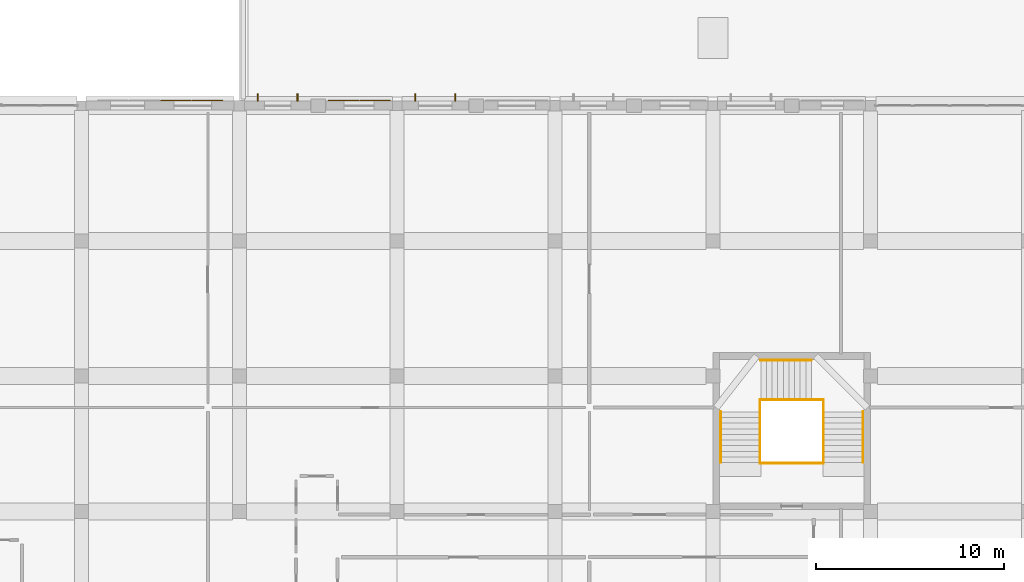
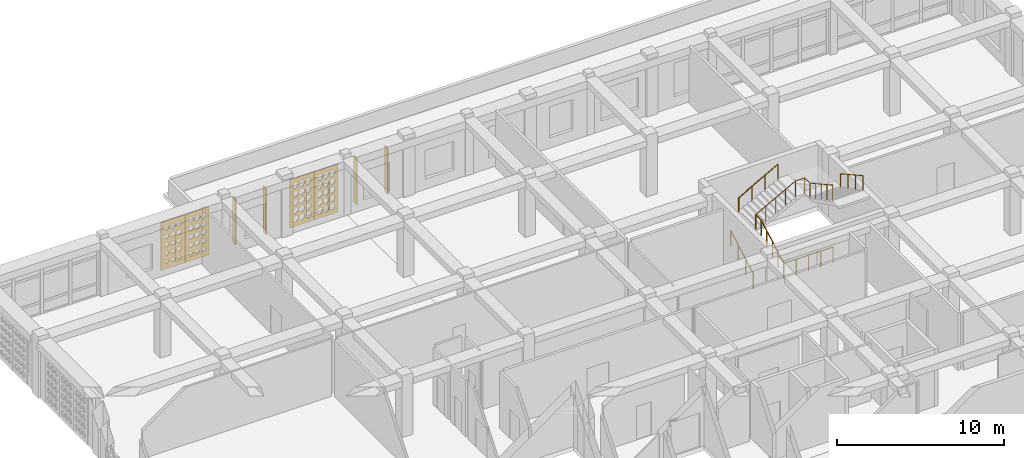
# One storey, part 100 of 111: 7 railings, 4 coverings, 4 shading devices.
"""IFC4 building model written with IfcOpenShell, lengths in metres."""

from ifc_helpers import new_model, si_unit, derived_unit, direction, frame, origin, origin_2d, place, context, subcontext, project, spatial, polyline, rectangle, circle, outline, extrude, material, layer, layer_set, type_object, element, save


model = new_model("IFC4")

# Units and contexts
model_context = context("Model", 3, precision=1e-05, world=origin(), true_north=direction((0.0, 1.0)))
body_context = subcontext(model_context, "Body", "Model", "MODEL_VIEW")
ifc_project = project(units=[si_unit("LENGTHUNIT", "METRE"), si_unit("AREAUNIT", "SQUARE_METRE"), si_unit("VOLUMEUNIT", "CUBIC_METRE"), si_unit("PLANEANGLEUNIT", "RADIAN"), si_unit("MASSUNIT", "GRAM", prefix="KILO"), derived_unit("THERMALTRANSMITTANCEUNIT", [(si_unit("POWERUNIT", "WATT"), 1), (si_unit("LENGTHUNIT", "METRE"), -2), (si_unit("THERMODYNAMICTEMPERATUREUNIT", "KELVIN"), -1)])], contexts=[model_context])

# Site, building, storey
site_placement = place(None, origin())
site = spatial("IfcSite", under=ifc_project, at=site_placement, CompositionType="ELEMENT")
building_placement = place(site_placement, origin())
building = spatial("IfcBuilding", under=site, at=building_placement, Name="Veybourne Emporium", CompositionType="ELEMENT")
storey_placement = place(building_placement, frame((0.0, 0.0, 9.89990234375)))
storey = spatial("IfcBuildingStorey", under=building, at=storey_placement, Name="L02", CompositionType="ELEMENT", Elevation=9.89990234375)

# Railings
ifc_material_1 = material(Name="Brushed Stainless Steel", Category="steel")
railing_type_1 = type_object("IfcRailingType", Name="Guard_GR-01", PredefinedType="GUARDRAIL", material=ifc_material_1)
railing_1_placement = place(storey_placement, frame((78.110107421875, 89.0, 0.0)))
element("IfcRailing", 1, at=railing_1_placement, inside=storey, type_object=railing_type_1, Name="L02 ST-04 stair guard 1", PredefinedType="GUARDRAIL", context=body_context, shape_type="SweptSolid", body=[
    extrude(circle(Radius=0.02392578125, at=origin_2d()), frame((0.0, 0.0, 1.1259765625), z_axis=(0.0, 0.87415354758, 0.485649642493), x_axis=(-1.0, 0.0, 0.0)), (0.0, 0.0, 1.0), 3.088623046875),
    extrude(circle(Radius=0.02392578125, at=origin_2d()), frame((0.0, 2.699951171875, 2.6259765625), z_axis=(0.0, 1.0, 0.0), x_axis=(-1.0, 0.0, 0.0)), (0.0, 0.0, 1.0), 0.64013671875),
    extrude(circle(Radius=0.02099609375, at=origin_2d()), origin(), (0.0, 0.0, 1.0), 1.101806640625),
    extrude(circle(Radius=0.02099609375, at=origin_2d()), frame((0.0, 0.675048828125, 0.375)), (0.0, 0.0, 1.0), 1.101806640625),
    extrude(circle(Radius=0.02099609375, at=origin_2d()), frame((0.0, 1.35009765625, 0.75)), (0.0, 0.0, 1.0), 1.101806640625),
    extrude(circle(Radius=0.02099609375, at=origin_2d()), frame((0.0, 2.02490234375, 1.125)), (0.0, 0.0, 1.0), 1.101806640625),
    extrude(circle(Radius=0.02099609375, at=origin_2d()), frame((0.0, 2.699951171875, 1.5)), (0.0, 0.0, 1.0), 1.101806640625),
    extrude(circle(Radius=0.02099609375, at=origin_2d()), frame((0.0, 3.340087890625, 1.5)), (0.0, 0.0, 1.0), 1.101806640625),
])
railing_2_placement = place(storey_placement, frame((78.110107421875, 92.340087890625, 1.5)))
element("IfcRailing", 2, at=railing_2_placement, inside=storey, type_object=railing_type_1, Name="L02 ST-04 stair guard 2", PredefinedType="GUARDRAIL", context=body_context, shape_type="SweptSolid", body=[
    extrude(circle(Radius=0.02392578125, at=origin_2d()), frame((0.0, 0.0, 1.1259765625), z_axis=(0.87715976088, 0.0, 0.480198660861), x_axis=(0.0, 1.0, 0.0)), (0.0, 0.0, 1.0), 3.123779296875),
    extrude(circle(Radius=0.02392578125, at=origin_2d()), frame((2.739990234375, 0.0, 2.6259765625), z_axis=(1.0, 0.0, 0.0), x_axis=(0.0, 1.0, 0.0)), (0.0, 0.0, 1.0), 0.639892578125),
    extrude(circle(Radius=0.02099609375, at=origin_2d()), origin(), (0.0, 0.0, 1.0), 1.101806640625),
    extrude(circle(Radius=0.02099609375, at=origin_2d()), frame((0.68505859375, 0.0, 0.375)), (0.0, 0.0, 1.0), 1.101806640625),
    extrude(circle(Radius=0.02099609375, at=origin_2d()), frame((1.3701171875, 0.0, 0.75)), (0.0, 0.0, 1.0), 1.101806640625),
    extrude(circle(Radius=0.02099609375, at=origin_2d()), frame((2.054931640625, 0.0, 1.125)), (0.0, 0.0, 1.0), 1.101806640625),
    extrude(circle(Radius=0.02099609375, at=origin_2d()), frame((2.739990234375, 0.0, 1.5)), (0.0, 0.0, 1.0), 1.101806640625),
    extrude(circle(Radius=0.02099609375, at=origin_2d()), frame((3.3798828125, 0.0, 1.5)), (0.0, 0.0, 1.0), 1.101806640625),
])
railing_3_placement = place(storey_placement, frame((81.489990234375, 92.340087890625, 3.0)))
element("IfcRailing", 3, at=railing_3_placement, inside=storey, type_object=railing_type_1, Name="L02 ST-04 stair guard 3", PredefinedType="GUARDRAIL", context=body_context, shape_type="SweptSolid", body=[
    extrude(circle(Radius=0.02392578125, at=origin_2d()), frame((0.0, 0.0, 1.1259765625), z_axis=(0.0, -1.0, 0.0), x_axis=(1.0, 0.0, 0.0)), (0.0, 0.0, 1.0), 0.64013671875),
    extrude(circle(Radius=0.02392578125, at=origin_2d()), frame((0.0, -0.64013671875, 1.1259765625), z_axis=(0.0, -0.87415354758, 0.485649642493), x_axis=(1.0, 0.0, 0.0)), (0.0, 0.0, 1.0), 3.088623046875),
    extrude(circle(Radius=0.02099609375, at=origin_2d()), origin(), (0.0, 0.0, 1.0), 1.101806640625),
    extrude(circle(Radius=0.02099609375, at=origin_2d()), frame((0.0, -0.64013671875, 0.0)), (0.0, 0.0, 1.0), 1.101806640625),
    extrude(circle(Radius=0.02099609375, at=origin_2d()), frame((0.0, -1.315185546875, 0.375)), (0.0, 0.0, 1.0), 1.101806640625),
    extrude(circle(Radius=0.02099609375, at=origin_2d()), frame((0.0, -1.990234375, 0.75)), (0.0, 0.0, 1.0), 1.101806640625),
    extrude(circle(Radius=0.02099609375, at=origin_2d()), frame((0.0, -2.6650390625, 1.125)), (0.0, 0.0, 1.0), 1.101806640625),
    extrude(circle(Radius=0.02099609375, at=origin_2d()), frame((0.0, -3.340087890625, 1.5)), (0.0, 0.0, 1.0), 1.101806640625),
])
railing_4_placement = place(storey_placement, frame((78.110107421875, 88.9599609375, 0.0)))
element("IfcRailing", 4, at=railing_4_placement, inside=storey, type_object=railing_type_1, Name="L02 ST-04 stair guard 4", PredefinedType="GUARDRAIL", context=body_context, shape_type="SweptSolid", body=[
    extrude(circle(Radius=0.02392578125, at=origin_2d()), frame((0.0, 0.0, 1.1259765625), z_axis=(1.0, 0.0, 0.0), x_axis=(0.0, 1.0, 0.0)), (0.0, 0.0, 1.0), 3.3798828125),
    extrude(circle(Radius=0.02099609375, at=origin_2d()), origin(), (0.0, 0.0, 1.0), 1.101806640625),
    extrude(circle(Radius=0.02099609375, at=origin_2d()), frame((0.844970703125, 0.0, 0.0)), (0.0, 0.0, 1.0), 1.101806640625),
    extrude(circle(Radius=0.02099609375, at=origin_2d()), frame((1.68994140625, 0.0, 0.0)), (0.0, 0.0, 1.0), 1.101806640625),
    extrude(circle(Radius=0.02099609375, at=origin_2d()), frame((2.534912109375, 0.0, 0.0)), (0.0, 0.0, 1.0), 1.101806640625),
    extrude(circle(Radius=0.02099609375, at=origin_2d()), frame((3.3798828125, 0.0, 0.0)), (0.0, 0.0, 1.0), 1.101806640625),
])
railing_type_2 = type_object("IfcRailingType", Name="Handrail_HR-01", PredefinedType="HANDRAIL", material=ifc_material_1)
railing_5_placement = place(storey_placement, frame((76.010009765625, 89.0, 0.150146484375)))
element("IfcRailing", 5, at=railing_5_placement, inside=storey, type_object=railing_type_2, Name="L02 ST-04 pitch handrail 1", PredefinedType="HANDRAIL", context=body_context, shape_type="SweptSolid", body=[
    extrude(circle(Radius=0.02392578125, at=origin_2d()), frame((0.0, 0.0, 0.92578125), z_axis=(0.0, 0.87415354758, 0.485649642493), x_axis=(-1.0, 0.0, 0.0)), (0.0, 0.0, 1.0), 3.088623046875),
    extrude(circle(Radius=0.02099609375, at=origin_2d()), frame((0.0, 0.0, -0.14990234375)), (0.0, 0.0, 1.0), 1.0517578125),
    extrude(circle(Radius=0.02099609375, at=origin_2d()), frame((0.0, 0.89990234375, 0.35009765625)), (0.0, 0.0, 1.0), 1.0517578125),
    extrude(circle(Radius=0.02099609375, at=origin_2d()), frame((0.0, 1.800048828125, 0.85009765625)), (0.0, 0.0, 1.0), 1.0517578125),
    extrude(circle(Radius=0.02099609375, at=origin_2d()), frame((0.0, 2.699951171875, 1.35009765625)), (0.0, 0.0, 1.0), 1.0517578125),
])
railing_6_placement = place(storey_placement, frame((78.14990234375, 94.43994140625, 1.650146484375)))
element("IfcRailing", 6, at=railing_6_placement, inside=storey, type_object=railing_type_2, Name="L02 ST-04 pitch handrail 2", PredefinedType="HANDRAIL", context=body_context, shape_type="SweptSolid", body=[
    extrude(circle(Radius=0.02392578125, at=origin_2d()), frame((0.0, 0.0, 0.92578125), z_axis=(0.874172188743, 0.0, 0.48561608749), x_axis=(0.0, 1.0, 0.0)), (0.0, 0.0, 1.0), 3.0888671875),
    extrude(circle(Radius=0.02099609375, at=origin_2d()), frame((0.0, 0.0, -0.14990234375)), (0.0, 0.0, 1.0), 1.0517578125),
    extrude(circle(Radius=0.02099609375, at=origin_2d()), frame((0.900146484375, 0.0, 0.35009765625)), (0.0, 0.0, 1.0), 1.0517578125),
    extrude(circle(Radius=0.02099609375, at=origin_2d()), frame((1.800048828125, 0.0, 0.85009765625)), (0.0, 0.0, 1.0), 1.0517578125),
    extrude(circle(Radius=0.02099609375, at=origin_2d()), frame((2.7001953125, 0.0, 1.35009765625)), (0.0, 0.0, 1.0), 1.0517578125),
])
railing_7_placement = place(storey_placement, frame((83.590087890625, 91.699951171875, 3.150146484375)))
element("IfcRailing", 7, at=railing_7_placement, inside=storey, type_object=railing_type_2, Name="L02 ST-04 pitch handrail 3", PredefinedType="HANDRAIL", context=body_context, shape_type="SweptSolid", body=[
    extrude(circle(Radius=0.02392578125, at=origin_2d()), frame((0.0, 0.0, 0.92578125), z_axis=(0.0, -0.87415354758, 0.485649642493), x_axis=(1.0, 0.0, 0.0)), (0.0, 0.0, 1.0), 3.088623046875),
    extrude(circle(Radius=0.02099609375, at=origin_2d()), frame((0.0, 0.0, -0.14990234375)), (0.0, 0.0, 1.0), 1.0517578125),
    extrude(circle(Radius=0.02099609375, at=origin_2d()), frame((0.0, -0.89990234375, 0.35009765625)), (0.0, 0.0, 1.0), 1.0517578125),
    extrude(circle(Radius=0.02099609375, at=origin_2d()), frame((0.0, -1.800048828125, 0.85009765625)), (0.0, 0.0, 1.0), 1.0517578125),
    extrude(circle(Radius=0.02099609375, at=origin_2d()), frame((0.0, -2.699951171875, 1.35009765625)), (0.0, 0.0, 1.0), 1.0517578125),
])

# Shading devices
ifc_material_2 = material(Name="Patinated Architectural Bronze", Category="bronze")
shading_device_type = type_object("IfcShadingDeviceType", Name="SolarFin_FIN-01", PredefinedType="USERDEFINED", material=ifc_material_2)
for number, where, z_axis, x_axis, name in (
    (8, (51.3798828125, 108.428955078125, 0.125244140625), (0.0, 0.0, 1.0), (1.0, 0.0, 0.0), "L02 bronze brise-soleil fin FIN-01 (32A.1)"),
    (9, (53.4951171875, 108.428955078125, 0.125244140625), (0.0, 0.0, 1.0), (1.0, 0.0, 0.0), "L02 bronze brise-soleil fin FIN-01 (32A.2)"),
    (10, (59.760009765625, 108.428955078125, 0.125244140625), (0.0, 0.0, 1.0), (1.0, 0.0, 0.0), "L02 bronze brise-soleil fin FIN-01 (34A.1)"),
    (11, (61.889892578125, 108.428955078125, 0.125244140625), (0.0, 0.0, 1.0), (1.0, 0.0, 0.0), "L02 bronze brise-soleil fin FIN-01 (34A.2)"),
):
    element("IfcShadingDevice", number, at=place(storey_placement, frame(where, z_axis=z_axis, x_axis=x_axis)), inside=storey, type_object=shading_device_type, Name=name, ObjectType="FIN", PredefinedType="USERDEFINED", context=body_context, shape_type="SweptSolid", body=[
        extrude(rectangle(XDim=0.06494140625, YDim=0.3798828125, at=origin_2d()), origin(), (0.0, 0.0, 1.0), 3.3798828125),
    ])

# Coverings
ifc_material_3 = material(Name="Warm-White Perforated Aluminium Screen Alloy", Category="aluminium")
ifc_layer_1 = layer(ifc_material_3, 0.06005859375)
ifc_layer_set_1 = layer_set([ifc_layer_1], Name="Warm-White Perforated Aluminium Screen Alloy")
covering_type_1 = type_object("IfcCoveringType", Name="WaveScreen_SCR-01", PredefinedType="CLADDING", material=ifc_layer_set_1)
covering_1_placement = place(storey_placement, frame((57.614990234375, 108.298095703125, 1.815185546875), z_axis=(0.0, -1.0, 0.0), x_axis=(1.0, 0.0, 0.0)))
element("IfcCovering", 12, at=covering_1_placement, inside=storey, type_object=covering_type_1, Name="L02 wave-perforated aluminium screen SCR-01 (32B.2)", PredefinedType="CLADDING", context=body_context, shape_type="SweptSolid", body=[
    extrude(outline(polyline([(-0.81982421875, -1.7548828125), (0.81982421875, -1.7548828125), (0.81982421875, 1.7548828125), (-0.81982421875, 1.7548828125), (-0.81982421875, -1.7548828125)]), holes=[polyline([(-0.433349609375, -0.964111328125), (-0.2470703125, -1.133056640625), (-0.2470703125, -1.322998046875), (-0.433349609375, -1.491943359375), (-0.61962890625, -1.322998046875), (-0.61962890625, -1.133056640625), (-0.433349609375, -0.964111328125)]), polyline([(-0.433349609375, -0.35009765625), (-0.2470703125, -0.51904296875), (-0.2470703125, -0.708984375), (-0.433349609375, -0.8779296875), (-0.61962890625, -0.708984375), (-0.61962890625, -0.51904296875), (-0.433349609375, -0.35009765625)]), polyline([(-0.433349609375, 0.263916015625), (-0.2470703125, 0.094970703125), (-0.2470703125, -0.094970703125), (-0.433349609375, -0.263916015625), (-0.61962890625, -0.094970703125), (-0.61962890625, 0.094970703125), (-0.433349609375, 0.263916015625)]), polyline([(-0.433349609375, 0.8779296875), (-0.2470703125, 0.708984375), (-0.2470703125, 0.51904296875), (-0.433349609375, 0.35009765625), (-0.61962890625, 0.51904296875), (-0.61962890625, 0.708984375), (-0.433349609375, 0.8779296875)]), polyline([(-0.433349609375, 1.491943359375), (-0.2470703125, 1.322998046875), (-0.2470703125, 1.133056640625), (-0.433349609375, 0.964111328125), (-0.61962890625, 1.133056640625), (-0.61962890625, 1.322998046875), (-0.433349609375, 1.491943359375)]), polyline([(0.0, -0.964111328125), (0.186279296875, -1.133056640625), (0.186279296875, -1.322998046875), (0.0, -1.491943359375), (-0.186279296875, -1.322998046875), (-0.186279296875, -1.133056640625), (0.0, -0.964111328125)]), polyline([(0.0, -0.35009765625), (0.186279296875, -0.51904296875), (0.186279296875, -0.708984375), (0.0, -0.8779296875), (-0.186279296875, -0.708984375), (-0.186279296875, -0.51904296875), (0.0, -0.35009765625)]), polyline([(0.0, 0.263916015625), (0.186279296875, 0.094970703125), (0.186279296875, -0.094970703125), (0.0, -0.263916015625), (-0.186279296875, -0.094970703125), (-0.186279296875, 0.094970703125), (0.0, 0.263916015625)]), polyline([(0.0, 0.8779296875), (0.186279296875, 0.708984375), (0.186279296875, 0.51904296875), (0.0, 0.35009765625), (-0.186279296875, 0.51904296875), (-0.186279296875, 0.708984375), (0.0, 0.8779296875)]), polyline([(0.0, 1.491943359375), (0.186279296875, 1.322998046875), (0.186279296875, 1.133056640625), (0.0, 0.964111328125), (-0.186279296875, 1.133056640625), (-0.186279296875, 1.322998046875), (0.0, 1.491943359375)]), polyline([(0.433349609375, -0.964111328125), (0.61962890625, -1.133056640625), (0.61962890625, -1.322998046875), (0.433349609375, -1.491943359375), (0.2470703125, -1.322998046875), (0.2470703125, -1.133056640625), (0.433349609375, -0.964111328125)]), polyline([(0.433349609375, -0.35009765625), (0.61962890625, -0.51904296875), (0.61962890625, -0.708984375), (0.433349609375, -0.8779296875), (0.2470703125, -0.708984375), (0.2470703125, -0.51904296875), (0.433349609375, -0.35009765625)]), polyline([(0.433349609375, 0.263916015625), (0.61962890625, 0.094970703125), (0.61962890625, -0.094970703125), (0.433349609375, -0.263916015625), (0.2470703125, -0.094970703125), (0.2470703125, 0.094970703125), (0.433349609375, 0.263916015625)]), polyline([(0.433349609375, 0.8779296875), (0.61962890625, 0.708984375), (0.61962890625, 0.51904296875), (0.433349609375, 0.35009765625), (0.2470703125, 0.51904296875), (0.2470703125, 0.708984375), (0.433349609375, 0.8779296875)]), polyline([(0.433349609375, 1.48974609375), (0.61962890625, 1.322265625), (0.61962890625, 1.1337890625), (0.433349609375, 0.96630859375), (0.2470703125, 1.1337890625), (0.2470703125, 1.322265625), (0.433349609375, 1.48974609375)])]), origin(), (0.0, 0.0, 1.0), 0.06005859375),
])
ifc_layer_2 = layer(ifc_material_3, 0.06005859375)
ifc_layer_set_2 = layer_set([ifc_layer_2], Name="Warm-White Perforated Aluminium Screen Alloy")
covering_type_2 = type_object("IfcCoveringType", Name="WaveScreen_SCR-02", PredefinedType="CLADDING", material=ifc_layer_set_2)
covering_2_placement = place(storey_placement, frame((47.027587890625, 108.298095703125, 1.815185546875), z_axis=(0.0, -1.0, 0.0), x_axis=(1.0, 0.0, 0.0)))
element("IfcCovering", 13, at=covering_2_placement, inside=storey, type_object=covering_type_2, Name="L02 wave-perforated aluminium screen SCR-02 (28.3)", PredefinedType="CLADDING", context=body_context, shape_type="SweptSolid", body=[
    extrude(outline(polyline([(-0.81982421875, -1.7548828125), (0.81982421875, -1.7548828125), (0.81982421875, 1.7548828125), (-0.81982421875, 1.7548828125), (-0.81982421875, -1.7548828125)]), holes=[polyline([(-0.433349609375, -1.08251953125), (-0.30419921875, -1.175537109375), (-0.30419921875, -1.280517578125), (-0.433349609375, -1.37353515625), (-0.5625, -1.280517578125), (-0.5625, -1.175537109375), (-0.433349609375, -1.08251953125)]), polyline([(-0.433349609375, -0.4560546875), (-0.294189453125, -0.55712890625), (-0.294189453125, -0.6708984375), (-0.433349609375, -0.77197265625), (-0.572509765625, -0.6708984375), (-0.572509765625, -0.55712890625), (-0.433349609375, -0.4560546875)]), polyline([(-0.433349609375, 0.171142578125), (-0.283203125, 0.0615234375), (-0.283203125, -0.0615234375), (-0.433349609375, -0.171142578125), (-0.58349609375, -0.0615234375), (-0.58349609375, 0.0615234375), (-0.433349609375, 0.171142578125)]), polyline([(-0.433349609375, 0.79931640625), (-0.271728515625, 0.6806640625), (-0.271728515625, 0.54736328125), (-0.433349609375, 0.4287109375), (-0.594970703125, 0.54736328125), (-0.594970703125, 0.6806640625), (-0.433349609375, 0.79931640625)]), polyline([(-0.433349609375, 1.427490234375), (-0.26025390625, 1.2998046875), (-0.26025390625, 1.15625), (-0.433349609375, 1.028564453125), (-0.6064453125, 1.15625), (-0.6064453125, 1.2998046875), (-0.433349609375, 1.427490234375)]), polyline([(0.0, -1.076904296875), (0.133544921875, -1.173583984375), (0.133544921875, -1.282470703125), (0.0, -1.379150390625), (-0.133544921875, -1.282470703125), (-0.133544921875, -1.173583984375), (0.0, -1.076904296875)]), polyline([(0.0, -0.4501953125), (0.14404296875, -0.554931640625), (0.14404296875, -0.673095703125), (0.0, -0.77783203125), (-0.14404296875, -0.673095703125), (-0.14404296875, -0.554931640625), (0.0, -0.4501953125)]), polyline([(0.0, 0.177490234375), (0.1552734375, 0.06396484375), (0.1552734375, -0.06396484375), (0.0, -0.177490234375), (-0.1552734375, -0.06396484375), (-0.1552734375, 0.06396484375), (0.0, 0.177490234375)]), polyline([(0.0, 0.8056640625), (0.166748046875, 0.68310546875), (0.166748046875, 0.544921875), (0.0, 0.42236328125), (-0.166748046875, 0.544921875), (-0.166748046875, 0.68310546875), (0.0, 0.8056640625)]), polyline([(0.0, 1.43359375), (0.17822265625, 1.302001953125), (0.17822265625, 1.15380859375), (0.0, 1.022216796875), (-0.17822265625, 1.15380859375), (-0.17822265625, 1.302001953125), (0.0, 1.43359375)]), polyline([(0.433349609375, -1.0712890625), (0.571533203125, -1.171630859375), (0.571533203125, -1.284423828125), (0.433349609375, -1.384765625), (0.295166015625, -1.284423828125), (0.295166015625, -1.171630859375), (0.433349609375, -1.0712890625)]), polyline([(0.433349609375, -0.444091796875), (0.58251953125, -0.552734375), (0.58251953125, -0.67529296875), (0.433349609375, -0.783935546875), (0.2841796875, -0.67529296875), (0.2841796875, -0.552734375), (0.433349609375, -0.444091796875)]), polyline([(0.433349609375, 0.183837890625), (0.59375, 0.066162109375), (0.59375, -0.066162109375), (0.433349609375, -0.183837890625), (0.27294921875, -0.066162109375), (0.27294921875, 0.066162109375), (0.433349609375, 0.183837890625)]), polyline([(0.433349609375, 0.81201171875), (0.60546875, 0.685302734375), (0.60546875, 0.542724609375), (0.433349609375, 0.416015625), (0.26123046875, 0.542724609375), (0.26123046875, 0.685302734375), (0.433349609375, 0.81201171875)]), polyline([(0.433349609375, 1.440185546875), (0.61669921875, 1.30419921875), (0.61669921875, 1.151611328125), (0.433349609375, 1.015869140625), (0.249755859375, 1.151611328125), (0.249755859375, 1.30419921875), (0.433349609375, 1.440185546875)])]), origin(), (0.0, 0.0, 1.0), 0.06005859375),
])
ifc_layer_3 = layer(ifc_material_3, 0.06005859375)
ifc_layer_set_3 = layer_set([ifc_layer_3], Name="Warm-White Perforated Aluminium Screen Alloy")
covering_type_3 = type_object("IfcCoveringType", Name="WaveScreen_SCR-03", PredefinedType="CLADDING", material=ifc_layer_set_3)
covering_3_placement = place(storey_placement, frame((48.70751953125, 108.298095703125, 1.815185546875), z_axis=(0.0, -1.0, 0.0), x_axis=(1.0, 0.0, 0.0)))
element("IfcCovering", 14, at=covering_3_placement, inside=storey, type_object=covering_type_3, Name="L02 wave-perforated aluminium screen SCR-03 (28.4)", PredefinedType="CLADDING", context=body_context, shape_type="SweptSolid", body=[
    extrude(outline(polyline([(-0.81982421875, -1.7548828125), (0.81982421875, -1.7548828125), (0.81982421875, 1.7548828125), (-0.81982421875, 1.7548828125), (-0.81982421875, -1.7548828125)]), holes=[polyline([(-0.433349609375, -1.06005859375), (-0.285888671875, -1.16748046875), (-0.285888671875, -1.28857421875), (-0.433349609375, -1.39599609375), (-0.580810546875, -1.28857421875), (-0.580810546875, -1.16748046875), (-0.433349609375, -1.06005859375)]), polyline([(-0.433349609375, -0.43212890625), (-0.274658203125, -0.548583984375), (-0.274658203125, -0.679443359375), (-0.433349609375, -0.7958984375), (-0.592041015625, -0.679443359375), (-0.592041015625, -0.548583984375), (-0.433349609375, -0.43212890625)]), polyline([(-0.433349609375, 0.196044921875), (-0.262939453125, 0.070556640625), (-0.262939453125, -0.070556640625), (-0.433349609375, -0.196044921875), (-0.603759765625, -0.070556640625), (-0.603759765625, 0.070556640625), (-0.433349609375, 0.196044921875)]), polyline([(-0.433349609375, 0.823974609375), (-0.25146484375, 0.689697265625), (-0.25146484375, 0.538330078125), (-0.433349609375, 0.404052734375), (-0.615234375, 0.538330078125), (-0.615234375, 0.689697265625), (-0.433349609375, 0.823974609375)]), polyline([(-0.433349609375, 1.451416015625), (-0.2470703125, 1.30859375), (-0.2470703125, 1.1474609375), (-0.433349609375, 1.00439453125), (-0.61962890625, 1.1474609375), (-0.61962890625, 1.30859375), (-0.433349609375, 1.451416015625)]), polyline([(0.0, -1.0537109375), (0.152587890625, -1.165283203125), (0.152587890625, -1.290771484375), (0.0, -1.402099609375), (-0.152587890625, -1.290771484375), (-0.152587890625, -1.165283203125), (0.0, -1.0537109375)]), polyline([(0.0, -0.42578125), (0.1640625, -0.546142578125), (0.1640625, -0.681884765625), (0.0, -0.80224609375), (-0.1640625, -0.681884765625), (-0.1640625, -0.546142578125), (0.0, -0.42578125)]), polyline([(0.0, 0.202392578125), (0.175537109375, 0.072998046875), (0.175537109375, -0.072998046875), (0.0, -0.202392578125), (-0.175537109375, -0.072998046875), (-0.175537109375, 0.072998046875), (0.0, 0.202392578125)]), polyline([(0.0, 0.830078125), (0.186279296875, 0.69189453125), (0.186279296875, 0.5361328125), (0.0, 0.397705078125), (-0.186279296875, 0.5361328125), (-0.186279296875, 0.69189453125), (0.0, 0.830078125)]), polyline([(0.0, 1.45751953125), (0.186279296875, 1.310546875), (0.186279296875, 1.1455078125), (0.0, 0.99853515625), (-0.186279296875, 1.1455078125), (-0.186279296875, 1.310546875), (0.0, 1.45751953125)]), polyline([(0.433349609375, -1.047607421875), (0.591064453125, -1.1630859375), (0.591064453125, -1.29296875), (0.433349609375, -1.408447265625), (0.275634765625, -1.29296875), (0.275634765625, -1.1630859375), (0.433349609375, -1.047607421875)]), polyline([(0.433349609375, -0.41943359375), (0.6025390625, -0.5439453125), (0.6025390625, -0.68408203125), (0.433349609375, -0.80859375), (0.26416015625, -0.68408203125), (0.26416015625, -0.5439453125), (0.433349609375, -0.41943359375)]), polyline([(0.433349609375, 0.208740234375), (0.614013671875, 0.0751953125), (0.614013671875, -0.0751953125), (0.433349609375, -0.208740234375), (0.252685546875, -0.0751953125), (0.252685546875, 0.0751953125), (0.433349609375, 0.208740234375)]), polyline([(0.433349609375, 0.836181640625), (0.61962890625, 0.694091796875), (0.61962890625, 0.533935546875), (0.433349609375, 0.3916015625), (0.2470703125, 0.533935546875), (0.2470703125, 0.694091796875), (0.433349609375, 0.836181640625)]), polyline([(0.433349609375, 1.462890625), (0.61962890625, 1.3125), (0.61962890625, 1.143310546875), (0.433349609375, 0.992919921875), (0.2470703125, 1.143310546875), (0.2470703125, 1.3125), (0.433349609375, 1.462890625)])]), origin(), (0.0, 0.0, 1.0), 0.06005859375),
])
ifc_layer_4 = layer(ifc_material_3, 0.06005859375)
ifc_layer_set_4 = layer_set([ifc_layer_4], Name="Warm-White Perforated Aluminium Screen Alloy")
covering_type_4 = type_object("IfcCoveringType", Name="WaveScreen_SCR-04", PredefinedType="CLADDING", material=ifc_layer_set_4)
covering_4_placement = place(storey_placement, frame((55.93505859375, 108.298095703125, 1.815185546875), z_axis=(0.0, -1.0, 0.0), x_axis=(1.0, 0.0, 0.0)))
element("IfcCovering", 15, at=covering_4_placement, inside=storey, type_object=covering_type_4, Name="L02 wave-perforated aluminium screen SCR-04 (32B.1)", PredefinedType="CLADDING", context=body_context, shape_type="SweptSolid", body=[
    extrude(outline(polyline([(-0.81982421875, -1.7548828125), (0.81982421875, -1.7548828125), (0.81982421875, 1.7548828125), (-0.81982421875, 1.7548828125), (-0.81982421875, -1.7548828125)]), holes=[polyline([(-0.433349609375, -0.966064453125), (-0.2470703125, -1.1337890625), (-0.2470703125, -1.322265625), (-0.433349609375, -1.489990234375), (-0.61962890625, -1.322265625), (-0.61962890625, -1.1337890625), (-0.433349609375, -0.966064453125)]), polyline([(-0.433349609375, -0.35009765625), (-0.2470703125, -0.51904296875), (-0.2470703125, -0.708984375), (-0.433349609375, -0.8779296875), (-0.61962890625, -0.708984375), (-0.61962890625, -0.51904296875), (-0.433349609375, -0.35009765625)]), polyline([(-0.433349609375, 0.263916015625), (-0.2470703125, 0.094970703125), (-0.2470703125, -0.094970703125), (-0.433349609375, -0.263916015625), (-0.61962890625, -0.094970703125), (-0.61962890625, 0.094970703125), (-0.433349609375, 0.263916015625)]), polyline([(-0.433349609375, 0.8779296875), (-0.2470703125, 0.708984375), (-0.2470703125, 0.51904296875), (-0.433349609375, 0.35009765625), (-0.61962890625, 0.51904296875), (-0.61962890625, 0.708984375), (-0.433349609375, 0.8779296875)]), polyline([(-0.433349609375, 1.491943359375), (-0.2470703125, 1.322998046875), (-0.2470703125, 1.133056640625), (-0.433349609375, 0.964111328125), (-0.61962890625, 1.133056640625), (-0.61962890625, 1.322998046875), (-0.433349609375, 1.491943359375)]), polyline([(0.0, -0.964111328125), (0.186279296875, -1.133056640625), (0.186279296875, -1.322998046875), (0.0, -1.491943359375), (-0.186279296875, -1.322998046875), (-0.186279296875, -1.133056640625), (0.0, -0.964111328125)]), polyline([(0.0, -0.35009765625), (0.186279296875, -0.51904296875), (0.186279296875, -0.708984375), (0.0, -0.8779296875), (-0.186279296875, -0.708984375), (-0.186279296875, -0.51904296875), (0.0, -0.35009765625)]), polyline([(0.0, 0.263916015625), (0.186279296875, 0.094970703125), (0.186279296875, -0.094970703125), (0.0, -0.263916015625), (-0.186279296875, -0.094970703125), (-0.186279296875, 0.094970703125), (0.0, 0.263916015625)]), polyline([(0.0, 0.8779296875), (0.186279296875, 0.708984375), (0.186279296875, 0.51904296875), (0.0, 0.35009765625), (-0.186279296875, 0.51904296875), (-0.186279296875, 0.708984375), (0.0, 0.8779296875)]), polyline([(0.0, 1.491943359375), (0.186279296875, 1.322998046875), (0.186279296875, 1.133056640625), (0.0, 0.964111328125), (-0.186279296875, 1.133056640625), (-0.186279296875, 1.322998046875), (0.0, 1.491943359375)]), polyline([(0.433349609375, -0.964111328125), (0.61962890625, -1.133056640625), (0.61962890625, -1.322998046875), (0.433349609375, -1.491943359375), (0.2470703125, -1.322998046875), (0.2470703125, -1.133056640625), (0.433349609375, -0.964111328125)]), polyline([(0.433349609375, -0.35009765625), (0.61962890625, -0.51904296875), (0.61962890625, -0.708984375), (0.433349609375, -0.8779296875), (0.2470703125, -0.708984375), (0.2470703125, -0.51904296875), (0.433349609375, -0.35009765625)]), polyline([(0.433349609375, 0.263916015625), (0.61962890625, 0.094970703125), (0.61962890625, -0.094970703125), (0.433349609375, -0.263916015625), (0.2470703125, -0.094970703125), (0.2470703125, 0.094970703125), (0.433349609375, 0.263916015625)]), polyline([(0.433349609375, 0.8779296875), (0.61962890625, 0.708984375), (0.61962890625, 0.51904296875), (0.433349609375, 0.35009765625), (0.2470703125, 0.51904296875), (0.2470703125, 0.708984375), (0.433349609375, 0.8779296875)]), polyline([(0.433349609375, 1.491943359375), (0.61962890625, 1.322998046875), (0.61962890625, 1.133056640625), (0.433349609375, 0.964111328125), (0.2470703125, 1.133056640625), (0.2470703125, 1.322998046875), (0.433349609375, 1.491943359375)])]), origin(), (0.0, 0.0, 1.0), 0.06005859375),
])

save(model, "model.ifc")
